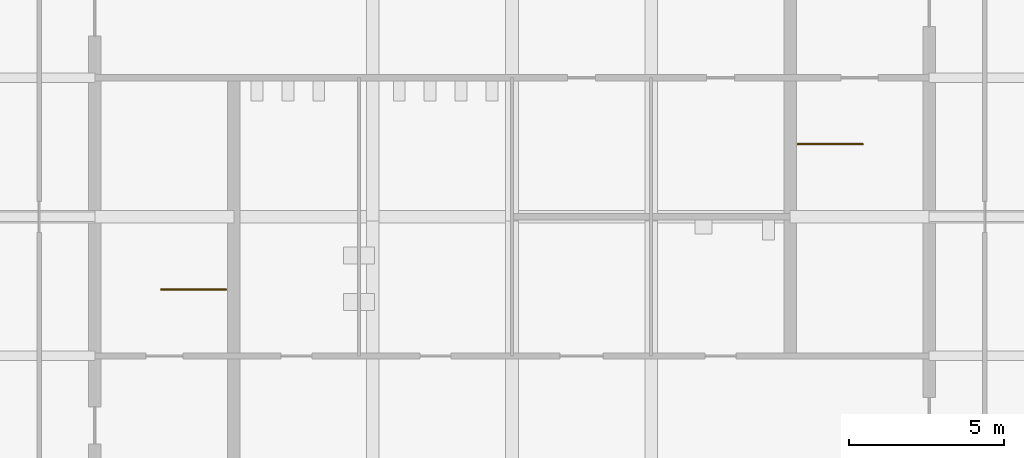
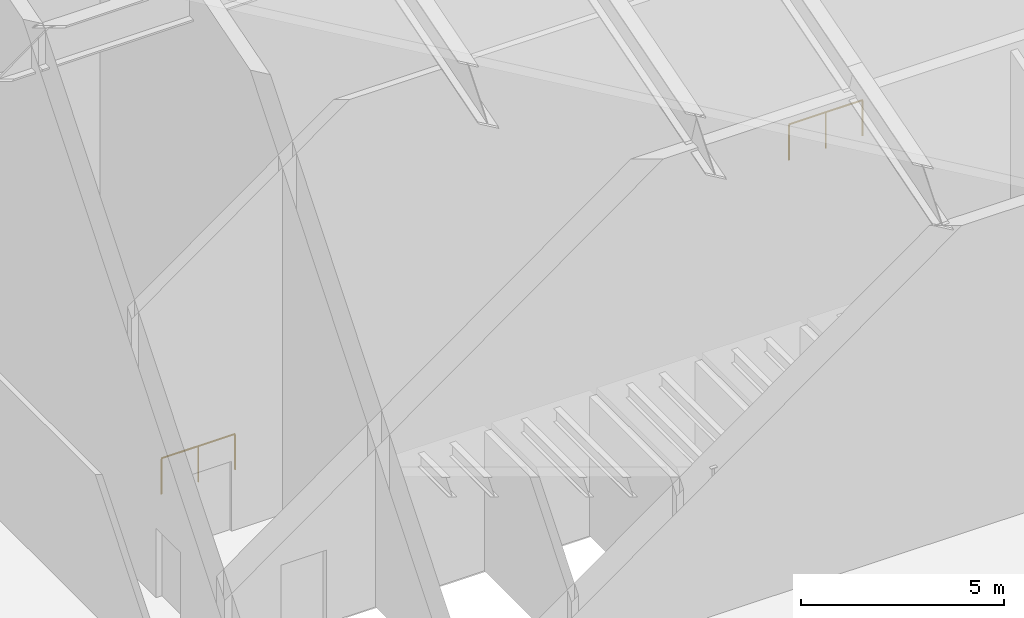
# One storey, part 9 of 10: 2 railings.
"""IFC4 building model written with IfcOpenShell, lengths in metres."""

import ifcopenshell
import ifcopenshell.guid

model = None  # the IFC model being written
_history = None  # IfcOwnerHistory: only IFC2X3 demands one
_inside = {}  # id of a spatial element -> (the spatial element, [elements in it])
_under = {}  # id of a project, library or spatial element -> (it, [spatial elements below it])
_declared = {}  # id of a project -> (the project, [libraries it declares])
_typed = {}  # id of a type object -> (the type object, [elements of that type])
_made_of = {}  # id of a material, layer set ... -> (it, [elements and type objects made of it])


def new_model(schema):
    """Start an empty IFC model of exactly this schema.

    Asked for "IFC4X3", IfcOpenShell would pick the latest addendum, in which some entities
    have other attributes; the version numbers below select the first issue.
    IFC2X3 requires an IfcOwnerHistory on every rooted entity: one is made here for all.
    """
    global model, _history
    if schema == "IFC4X3":
        model = ifcopenshell.file(schema_version=(4, 3, 0, 0))
    else:
        model = ifcopenshell.file(schema=schema)
    _inside.clear()
    _under.clear()
    _declared.clear()
    _typed.clear()
    _made_of.clear()
    _history = None
    if model.schema == "IFC2X3":
        org = make("IfcOrganization", Name="unknown")
        user = make(
            "IfcPersonAndOrganization",
            ThePerson=make("IfcPerson", FamilyName="unknown"),
            TheOrganization=org,
        )
        app = make(
            "IfcApplication",
            ApplicationDeveloper=org,
            Version="unknown",
            ApplicationFullName="unknown",
            ApplicationIdentifier="unknown",
        )
        _history = make(
            "IfcOwnerHistory",
            OwningUser=user,
            OwningApplication=app,
            ChangeAction="ADDED",
            CreationDate=0,
        )
    return model


def make(cls, **values):
    """One entity of the class cls with the attributes given. An attribute that is None is left unset."""
    return model.create_entity(
        cls, **{name: value for name, value in values.items() if value is not None}
    )


def rooted(cls, **values):
    """An entity with a GlobalId (a new one), such as an element, a storey or a relation."""
    return make(cls, GlobalId=ifcopenshell.guid.new(), OwnerHistory=_history, **values)


def si_unit(unit_type, name, prefix=None):
    """IfcSIUnit, for example si_unit("LENGTHUNIT", "METRE", prefix="MILLI")."""
    return make("IfcSIUnit", UnitType=unit_type, Prefix=prefix, Name=name)


def assignment(units):
    """IfcUnitAssignment: the units of a project."""
    return None if units is None else make("IfcUnitAssignment", Units=units)


def point(xyz):
    """IfcCartesianPoint."""
    return None if xyz is None else make("IfcCartesianPoint", Coordinates=xyz)


def direction(xyz):
    """IfcDirection."""
    return None if xyz is None else make("IfcDirection", DirectionRatios=xyz)


def frame(location, z_axis=None, x_axis=None):
    """IfcAxis2Placement3D, a coordinate frame: its origin and axes. An axis left out is left unset."""
    return make(
        "IfcAxis2Placement3D",
        Location=point(location),
        Axis=direction(z_axis),
        RefDirection=direction(x_axis),
    )


def frame_2d(location, x_axis=None):
    """IfcAxis2Placement2D, a coordinate frame in the plane: its origin and x axis."""
    return make(
        "IfcAxis2Placement2D", Location=point(location), RefDirection=direction(x_axis)
    )


def origin():
    """The frame at (0, 0, 0) with its axes left unset."""
    return frame((0.0, 0.0, 0.0))


def origin_2d():
    """The frame at (0, 0) in the plane with its x axis left unset."""
    return frame_2d((0.0, 0.0))


def place(relative_to, where):
    """IfcLocalPlacement: puts the frame where relative to a parent placement (None: the world)."""
    return make(
        "IfcLocalPlacement", PlacementRelTo=relative_to, RelativePlacement=where
    )


def context(
    kind, dimensions, precision=None, world=None, true_north=None, identifier=None
):
    """IfcGeometricRepresentationContext, for example the 3D "Model" context."""
    return make(
        "IfcGeometricRepresentationContext",
        ContextIdentifier=identifier,
        ContextType=kind,
        CoordinateSpaceDimension=dimensions,
        Precision=precision,
        WorldCoordinateSystem=world,
        TrueNorth=true_north,
    )


def subcontext(parent, identifier, kind, view, scale=None):
    """IfcGeometricRepresentationSubContext, for example "Body" below "Model"."""
    return make(
        "IfcGeometricRepresentationSubContext",
        ContextIdentifier=identifier,
        ContextType=kind,
        ParentContext=parent,
        TargetScale=scale,
        TargetView=view,
    )


def project(units=None, contexts=None):
    """IfcProject with its units and contexts."""
    return rooted(
        "IfcProject",
        Name="project",
        RepresentationContexts=contexts,
        UnitsInContext=assignment(units),
    )


def spatial(cls, under=None, at=None, **own):
    """A site, building, storey or space (cls), placed at a placement, below another one or the project."""
    s = rooted(cls, ObjectPlacement=at, **own)
    if under is not None:
        _under.setdefault(under.id(), (under, []))[1].append(s)
    return s


def profile(cls, at=None, kind="AREA", **sizes):
    """A parametric profile (cls). Its sizes go by their IFC names, for example OverallWidth=200.0."""
    return make(cls, ProfileType=kind, Position=at, **sizes)


def circle(**sizes):
    """IfcCircleProfileDef."""
    return profile("IfcCircleProfileDef", **sizes)


def extrude(swept, where, along, depth):
    """IfcExtrudedAreaSolid: the profile swept, set in the frame where, extruded along a direction by depth."""
    return make(
        "IfcExtrudedAreaSolid",
        SweptArea=swept,
        Position=where,
        ExtrudedDirection=direction(along),
        Depth=depth,
    )


def shape(context_of_items, identifier, shape_type, items):
    """IfcShapeRepresentation: the items that make up one representation, for example the "Body"."""
    return make(
        "IfcShapeRepresentation",
        ContextOfItems=context_of_items,
        RepresentationIdentifier=identifier,
        RepresentationType=shape_type,
        Items=items,
    )


def material(Name=None, Category=None):
    """IfcMaterial."""
    return make("IfcMaterial", Name=Name, Category=Category)


def made_of(thing, what):
    """Note that an element or type object is made of a material, layer set ...; save() writes the relation."""
    if what is not None:
        _made_of.setdefault(what.id(), (what, []))[1].append(thing)
    return thing


def type_object(cls, material=None, **own):
    """A type object (cls), such as IfcWallType, which elements share."""
    return made_of(rooted(cls, **own), material)


def element(
    cls,
    number,
    at=None,
    inside=None,
    cuts=None,
    type_object=None,
    material=None,
    context=None,
    identifier="Body",
    shape_type=None,
    held_by="IfcProductDefinitionShape",
    body=None,
    shapes=None,
    **own,
):
    """One element of the class cls, such as IfcWall. Its Tag is "e" and its number.

    at: its placement. inside: the storey or other place that contains it. cuts: it is an
    opening in that element (IfcRelVoidsElement). A single representation is given by context,
    identifier, shape_type and body (its items); several are given by shapes. held_by: the class
    of the entity that holds the representations. save() writes the other relations.
    """
    e = rooted(cls, Tag="e%d" % number, ObjectPlacement=at, **own)
    if body is not None:
        shapes = [shape(context, identifier, shape_type, body)]
    if shapes is not None:
        e.Representation = make(held_by, Representations=shapes)
    if inside is not None:
        _inside.setdefault(inside.id(), (inside, []))[1].append(e)
    if cuts is not None:
        rooted(
            "IfcRelVoidsElement", RelatingBuildingElement=cuts, RelatedOpeningElement=e
        )
    if type_object is not None:
        _typed.setdefault(type_object.id(), (type_object, []))[1].append(e)
    return made_of(e, material)


def aggregate(whole, parts):
    """IfcRelAggregates: a whole, such as a stair, and the parts it consists of."""
    return rooted("IfcRelAggregates", RelatingObject=whole, RelatedObjects=parts)


def save(model, path):
    """Write the relations noted so far, then the file.

    IfcRelAggregates (storeys below a building ...), IfcRelContainedInSpatialStructure (elements
    in a storey), IfcRelDefinesByType, IfcRelAssociatesMaterial and IfcRelDeclares: one each for
    every whole, place, type object, material and project.
    """
    for whole, parts in _under.values():
        aggregate(whole, parts)
    for where, things in _inside.values():
        rooted(
            "IfcRelContainedInSpatialStructure",
            RelatedElements=things,
            RelatingStructure=where,
        )
    for kind, things in _typed.values():
        rooted("IfcRelDefinesByType", RelatedObjects=things, RelatingType=kind)
    for what, things in _made_of.values():
        rooted("IfcRelAssociatesMaterial", RelatedObjects=things, RelatingMaterial=what)
    for by, libraries in _declared.values():
        rooted("IfcRelDeclares", RelatingContext=by, RelatedDefinitions=libraries)
    model.write(path)


model = new_model("IFC4")

# Units and contexts
model_context = context("Model", 3, precision=1e-05, world=origin(), true_north=direction((0.0, 1.0)))
body_context = subcontext(model_context, "Body", "Model", "MODEL_VIEW")
ifc_project = project(units=[si_unit("LENGTHUNIT", "METRE"), si_unit("AREAUNIT", "SQUARE_METRE"), si_unit("VOLUMEUNIT", "CUBIC_METRE"), si_unit("PLANEANGLEUNIT", "RADIAN"), si_unit("MASSUNIT", "GRAM", prefix="KILO")], contexts=[model_context])

# Site, building, storey
site_placement = place(None, origin())
site = spatial("IfcSite", under=ifc_project, at=site_placement, CompositionType="ELEMENT")
building_placement = place(site_placement, origin())
building = spatial("IfcBuilding", under=site, at=building_placement, Name="Corais Broadcast Tower", CompositionType="ELEMENT")
storey_placement = place(building_placement, frame((0.0, 0.0, 320.10009765625)))
storey = spatial("IfcBuildingStorey", under=building, at=storey_placement, Name="L75", CompositionType="ELEMENT", Elevation=320.10009765625)

# Railings
ifc_material = material(Name="Laminated glass and stainless steel guard", Category="steel")
railing_type = type_object("IfcRailingType", Name="Glass guard 1100", PredefinedType="GUARDRAIL", material=ifc_material)
for number, where, name in (
    (1, (15.64990234375, 24.64990234375, 0.0), "GR1 stair well guard L75"),
    (2, (36.25, 29.35009765625, 0.0), "GR1 stair well guard L75"),
):
    element("IfcRailing", number, at=place(storey_placement, frame(where)), inside=storey, type_object=railing_type, Name=name, PredefinedType="GUARDRAIL", context=body_context, shape_type="SweptSolid", body=[
        extrude(circle(Radius=0.02392578125, at=origin_2d()), frame((0.0, 0.0, 1.076171875), z_axis=(1.0, 0.0, 0.0), x_axis=(0.0, 1.0, 0.0)), (0.0, 0.0, 1.0), 2.10009765625),
        extrude(circle(Radius=0.02099609375, at=origin_2d()), origin(), (0.0, 0.0, 1.0), 1.052001953125),
        extrude(circle(Radius=0.02099609375, at=origin_2d()), frame((1.050048828125, 0.0, 0.0)), (0.0, 0.0, 1.0), 1.052001953125),
        extrude(circle(Radius=0.02099609375, at=origin_2d()), frame((2.10009765625, 0.0, 0.0)), (0.0, 0.0, 1.0), 1.052001953125),
    ])

save(model, "model.ifc")
